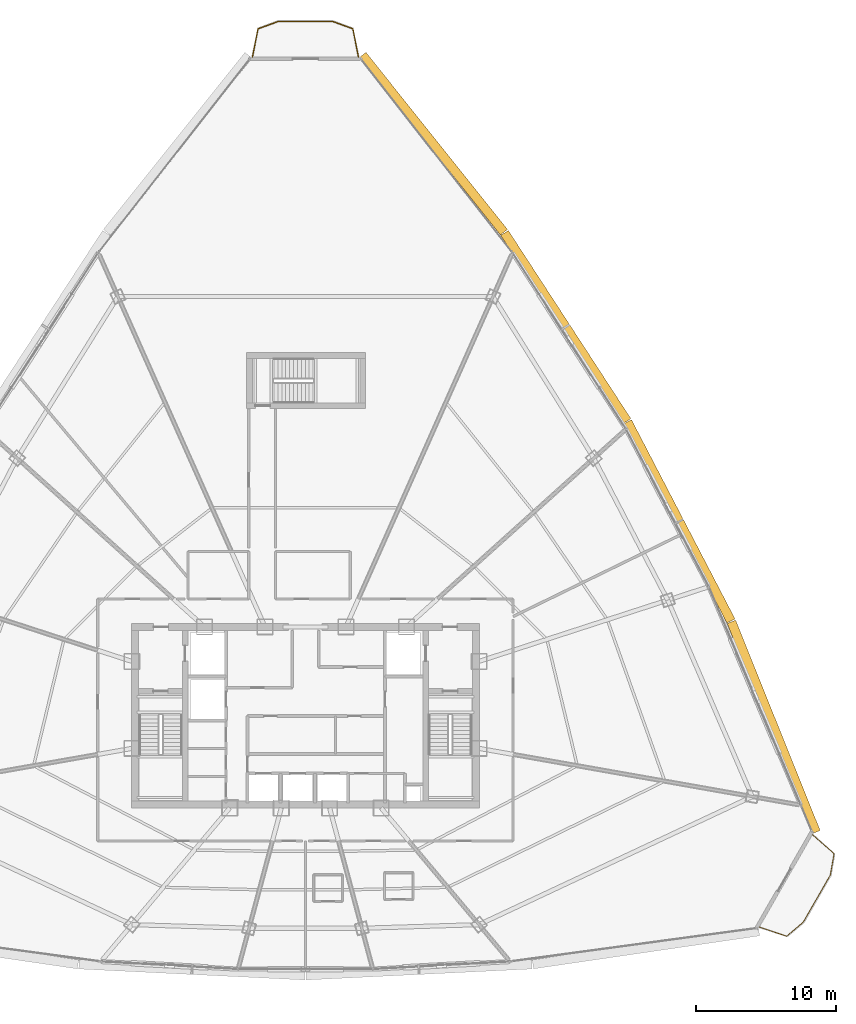
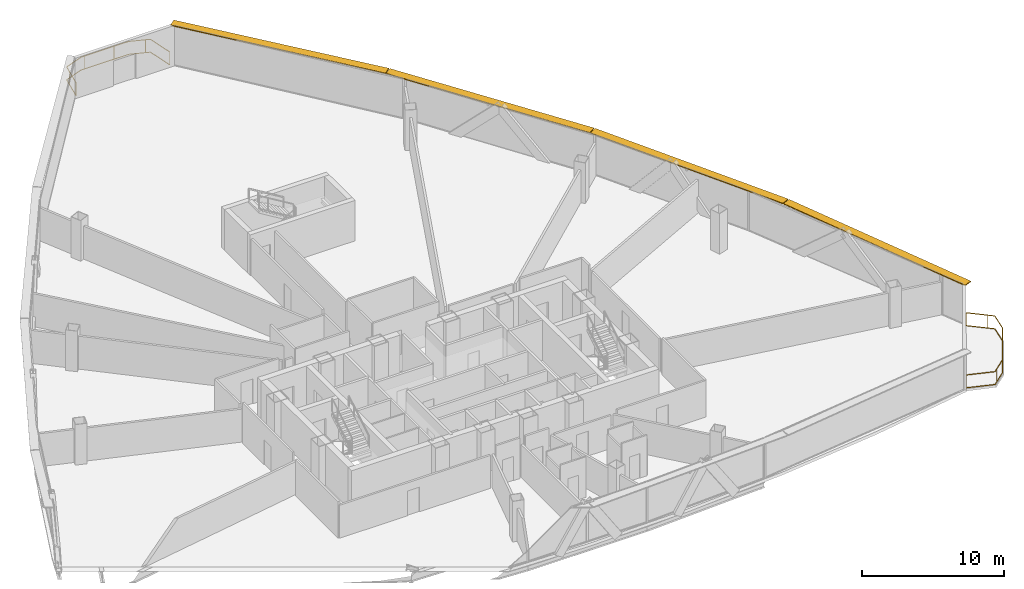
# One storey, part 34 of 34: 4 shading devices, 2 railings.
"""IFC4 building model written with IfcOpenShell, lengths in metres."""

from ifc_helpers import new_model, si_unit, direction, frame, origin, origin_2d, place, context, subcontext, project, spatial, rectangle, extrude, source, transform, mapped, material, layer, layer_set, type_object, element, save


model = new_model("IFC4")

# Units and contexts
model_context = context("Model", 3, precision=1e-05, world=origin(), true_north=direction((0.0, 1.0)))
body_context = subcontext(model_context, "Body", "Model", "MODEL_VIEW")
ifc_project = project(units=[si_unit("LENGTHUNIT", "METRE"), si_unit("AREAUNIT", "SQUARE_METRE"), si_unit("VOLUMEUNIT", "CUBIC_METRE"), si_unit("PLANEANGLEUNIT", "RADIAN"), si_unit("MASSUNIT", "GRAM", prefix="KILO"), si_unit("THERMODYNAMICTEMPERATUREUNIT", "KELVIN"), si_unit("POWERUNIT", "WATT")], contexts=[model_context])

# Site, building, storey
site_placement = place(None, origin())
site = spatial("IfcSite", under=ifc_project, at=site_placement, CompositionType="ELEMENT")
building_placement = place(site_placement, origin())
building = spatial("IfcBuilding", under=site, at=building_placement, Name="Yunzhuo Pagoda Commons", CompositionType="ELEMENT")
storey_placement = place(building_placement, frame((0.0, 0.0, 229.610107421875)))
storey = spatial("IfcBuildingStorey", under=building, at=storey_placement, Name="L57", CompositionType="ELEMENT", Elevation=229.610107421875)

# Railings
ifc_material = material(Name="Anodized aluminium 6063-T6", Category="aluminium")
railing_type = type_object("IfcRailingType", Name="RL-BAL1 Exterior Terrace & Balcony Balustrade 1150", PredefinedType="BALUSTRADE", material=ifc_material)
railing_1_placement = place(storey_placement, frame((80.447265625, 18.742431640625, 0.0)))
element("IfcRailing", 1, at=railing_1_placement, inside=storey, type_object=railing_type, Name="L57 corner balcony balustrade V2", PredefinedType="BALUSTRADE", context=body_context, shape_type="SweptSolid", body=[
    extrude(rectangle(XDim=0.048095703125, YDim=0.048095703125, at=origin_2d()), frame((0.0, 0.0, 1.1259765625), z_axis=(0.947419062147, -0.319995501031, 0.0), x_axis=(0.319995501031, 0.947419062147, 0.0)), (0.0, 0.0, 1.0), 2.05908203125),
    extrude(rectangle(XDim=0.048095703125, YDim=0.048095703125, at=origin_2d()), frame((0.0, 0.0, 0.02392578125), z_axis=(0.947419062147, -0.319995501031, 0.0), x_axis=(0.319995501031, 0.947419062147, 0.0)), (0.0, 0.0, 1.0), 2.05908203125),
    extrude(rectangle(XDim=0.048095703125, YDim=0.048095703125, at=origin_2d()), frame((1.950927734375, -0.658935546875, 1.1259765625), z_axis=(0.763546898029, 0.645752378633, 0.0), x_axis=(-0.645752378633, 0.763546898029, 0.0)), (0.0, 0.0, 1.0), 1.556640625),
    extrude(rectangle(XDim=0.048095703125, YDim=0.048095703125, at=origin_2d()), frame((1.950927734375, -0.658935546875, 0.02392578125), z_axis=(0.763546898029, 0.645752378633, 0.0), x_axis=(-0.645752378633, 0.763546898029, 0.0)), (0.0, 0.0, 1.0), 1.556640625),
    extrude(rectangle(XDim=0.048095703125, YDim=0.048095703125, at=origin_2d()), frame((3.139404296875, 0.34619140625, 1.1259765625), z_axis=(0.497903387026, 0.867232504688, 0.0), x_axis=(-0.867232504688, 0.497903387026, 0.0)), (0.0, 0.0, 1.0), 3.886962890625),
    extrude(rectangle(XDim=0.048095703125, YDim=0.048095703125, at=origin_2d()), frame((3.139404296875, 0.34619140625, 0.02392578125), z_axis=(0.497903387026, 0.867232504688, 0.0), x_axis=(-0.867232504688, 0.497903387026, 0.0)), (0.0, 0.0, 1.0), 3.886962890625),
    extrude(rectangle(XDim=0.048095703125, YDim=0.048095703125, at=origin_2d()), frame((5.07470703125, 3.717041015625, 1.1259765625), z_axis=(0.172863553259, 0.984945781226, 0.0), x_axis=(-0.984945781226, 0.172863553259, 0.0)), (0.0, 0.0, 1.0), 1.556396484375),
    extrude(rectangle(XDim=0.048095703125, YDim=0.048095703125, at=origin_2d()), frame((5.07470703125, 3.717041015625, 0.02392578125), z_axis=(0.172863553259, 0.984945781226, 0.0), x_axis=(-0.984945781226, 0.172863553259, 0.0)), (0.0, 0.0, 1.0), 1.556396484375),
    extrude(rectangle(XDim=0.048095703125, YDim=0.048095703125, at=origin_2d()), frame((5.34375, 5.25, 1.1259765625), z_axis=(-0.753984993137, 0.656891642605, 0.0), x_axis=(-0.656891642605, -0.753984993137, 0.0)), (0.0, 0.0, 1.0), 2.059326171875),
    extrude(rectangle(XDim=0.048095703125, YDim=0.048095703125, at=origin_2d()), frame((5.34375, 5.25, 0.02392578125), z_axis=(-0.753984993137, 0.656891642605, 0.0), x_axis=(-0.656891642605, -0.753984993137, 0.0)), (0.0, 0.0, 1.0), 2.059326171875),
    extrude(rectangle(XDim=0.0419921875, YDim=0.0419921875, at=origin_2d()), origin(), (0.0, 0.0, 1.0), 1.101806640625),
    extrude(rectangle(XDim=0.0419921875, YDim=0.0419921875, at=origin_2d()), frame((2.211181640625, -0.43896484375, 0.0)), (0.0, 0.0, 1.0), 1.101806640625),
    extrude(rectangle(XDim=0.0419921875, YDim=0.0419921875, at=origin_2d()), frame((3.72900390625, 1.373291015625, 0.0)), (0.0, 0.0, 1.0), 1.101806640625),
    extrude(rectangle(XDim=0.0419921875, YDim=0.0419921875, at=origin_2d()), frame((4.924072265625, 3.45458984375, 0.0)), (0.0, 0.0, 1.0), 1.101806640625),
    extrude(rectangle(XDim=0.0419921875, YDim=0.0419921875, at=origin_2d()), frame((4.935791015625, 5.60546875, 0.0)), (0.0, 0.0, 1.0), 1.101806640625),
    extrude(rectangle(XDim=0.0419921875, YDim=0.0419921875, at=origin_2d()), frame((3.791015625, 6.602783203125, 0.0)), (0.0, 0.0, 1.0), 1.101806640625),
])
railing_2_placement = place(storey_placement, frame((51.790771484375, 80.931884765625, 0.0)))
element("IfcRailing", 2, at=railing_2_placement, inside=storey, type_object=railing_type, Name="L57 corner balcony balustrade V3", PredefinedType="BALUSTRADE", context=body_context, shape_type="SweptSolid", body=[
    extrude(rectangle(XDim=0.048095703125, YDim=0.048095703125, at=origin_2d()), frame((0.0, 0.0, 1.1259765625), z_axis=(-0.194200568098, 0.980961843983, 0.0), x_axis=(-0.980961843983, -0.194200568098, 0.0)), (0.0, 0.0, 1.0), 2.059326171875),
    extrude(rectangle(XDim=0.048095703125, YDim=0.048095703125, at=origin_2d()), frame((0.0, 0.0, 0.02392578125), z_axis=(-0.194200568098, 0.980961843983, 0.0), x_axis=(-0.980961843983, -0.194200568098, 0.0)), (0.0, 0.0, 1.0), 2.059326171875),
    extrude(rectangle(XDim=0.048095703125, YDim=0.048095703125, at=origin_2d()), frame((-0.39990234375, 2.02001953125, 1.1259765625), z_axis=(-0.939641477641, 0.342160625287, 0.0), x_axis=(-0.342160625287, -0.939641477641, 0.0)), (0.0, 0.0, 1.0), 1.549072265625),
    extrude(rectangle(XDim=0.048095703125, YDim=0.048095703125, at=origin_2d()), frame((-0.39990234375, 2.02001953125, 0.02392578125), z_axis=(-0.939641477641, 0.342160625287, 0.0), x_axis=(-0.342160625287, -0.939641477641, 0.0)), (0.0, 0.0, 1.0), 1.549072265625),
    extrude(rectangle(XDim=0.048095703125, YDim=0.048095703125, at=origin_2d()), frame((-1.85546875, 2.550048828125, 1.1259765625), z_axis=(-1.0, 0.0, 0.0), x_axis=(0.0, -1.0, 0.0)), (0.0, 0.0, 1.0), 3.87060546875),
    extrude(rectangle(XDim=0.048095703125, YDim=0.048095703125, at=origin_2d()), frame((-1.85546875, 2.550048828125, 0.02392578125), z_axis=(-1.0, 0.0, 0.0), x_axis=(0.0, -1.0, 0.0)), (0.0, 0.0, 1.0), 3.87060546875),
    extrude(rectangle(XDim=0.048095703125, YDim=0.048095703125, at=origin_2d()), frame((-5.72607421875, 2.550048828125, 1.1259765625), z_axis=(-0.939641477641, -0.342160625287, 0.0), x_axis=(0.342160625287, -0.939641477641, 0.0)), (0.0, 0.0, 1.0), 1.549072265625),
    extrude(rectangle(XDim=0.048095703125, YDim=0.048095703125, at=origin_2d()), frame((-5.72607421875, 2.550048828125, 0.02392578125), z_axis=(-0.939641477641, -0.342160625287, 0.0), x_axis=(0.342160625287, -0.939641477641, 0.0)), (0.0, 0.0, 1.0), 1.549072265625),
    extrude(rectangle(XDim=0.048095703125, YDim=0.048095703125, at=origin_2d()), frame((-7.181640625, 2.02001953125, 1.1259765625), z_axis=(-0.194200568098, -0.980961843983, 0.0), x_axis=(0.980961843983, -0.194200568098, 0.0)), (0.0, 0.0, 1.0), 2.059326171875),
    extrude(rectangle(XDim=0.048095703125, YDim=0.048095703125, at=origin_2d()), frame((-7.181640625, 2.02001953125, 0.02392578125), z_axis=(-0.194200568098, -0.980961843983, 0.0), x_axis=(0.980961843983, -0.194200568098, 0.0)), (0.0, 0.0, 1.0), 2.059326171875),
    extrude(rectangle(XDim=0.0419921875, YDim=0.0419921875, at=origin_2d()), origin(), (0.0, 0.0, 1.0), 1.101806640625),
    extrude(rectangle(XDim=0.0419921875, YDim=0.0419921875, at=origin_2d()), frame((-0.72021484375, 2.13671875, 0.0)), (0.0, 0.0, 1.0), 1.101806640625),
    extrude(rectangle(XDim=0.0419921875, YDim=0.0419921875, at=origin_2d()), frame((-3.047119140625, 2.550048828125, 0.0)), (0.0, 0.0, 1.0), 1.101806640625),
    extrude(rectangle(XDim=0.0419921875, YDim=0.0419921875, at=origin_2d()), frame((-5.447265625, 2.550048828125, 0.0)), (0.0, 0.0, 1.0), 1.101806640625),
    extrude(rectangle(XDim=0.0419921875, YDim=0.0419921875, at=origin_2d()), frame((-7.292724609375, 1.458984375, 0.0)), (0.0, 0.0, 1.0), 1.101806640625),
    extrude(rectangle(XDim=0.0419921875, YDim=0.0419921875, at=origin_2d()), frame((-7.58154296875, 0.0, 0.0)), (0.0, 0.0, 1.0), 1.101806640625),
])

# Shading devices
ifc_layer = layer(ifc_material, 0.080078125)
ifc_layer_set = layer_set([ifc_layer], Name="Anodized aluminium 6063-T6")
shading_device_type = type_object("IfcShadingDeviceType", Name="SH-SUN1 Pagoda Horizontal Sunshade Eave 650", PredefinedType="USERDEFINED", material=ifc_layer_set)
shared_shape_1 = source(origin(), body_context, "Body", "SweptSolid", [
    extrude(rectangle(XDim=16.2041015625, YDim=0.64990234375, at=origin_2d()), origin(), (0.0, 0.0, 1.0), 0.080078125),
])
for number, where, z_axis, x_axis, name in (
    (3, (81.471435546875, 33.0400390625, 3.389892578125), (0.0, 0.0, 1.0), (-0.372987782576, 0.927836253899, 0.0), "L57 horizontal pagoda sunshade eave F2.1"),
    (4, (57.130615234375, 74.73828125, 3.389892578125), (0.0, 0.0, 1.0), (-0.624520471688, 0.781008438138, 0.0), "L57 horizontal pagoda sunshade eave F2.4"),
):
    element("IfcShadingDevice", number, at=place(storey_placement, frame(where, z_axis=z_axis, x_axis=x_axis)), inside=storey, type_object=shading_device_type, Name=name, ObjectType="SUNSHADE", PredefinedType="USERDEFINED", context=body_context, shape_type="MappedRepresentation", body=[
        mapped(shared_shape_1, transform((0.0, 0.0, 0.0), scale=1.0)),
    ])
shared_shape_2 = source(origin(), body_context, "Body", "SweptSolid", [
    extrude(rectangle(XDim=16.05029296875, YDim=0.64990234375, at=origin_2d()), origin(), (0.0, 0.0, 1.0), 0.080078125),
])
for number, where, z_axis, x_axis, name in (
    (5, (74.7216796875, 47.735595703125, 3.389892578125), (0.0, 0.0, 1.0), (-0.461206683033, 0.88729273384, 0.0), "L57 horizontal pagoda sunshade eave F2.2"),
    (6, (66.608154296875, 61.63525390625, 3.389892578125), (0.0, 0.0, 1.0), (-0.545838756973, 0.837890238269, 0.0), "L57 horizontal pagoda sunshade eave F2.3"),
):
    element("IfcShadingDevice", number, at=place(storey_placement, frame(where, z_axis=z_axis, x_axis=x_axis)), inside=storey, type_object=shading_device_type, Name=name, ObjectType="SUNSHADE", PredefinedType="USERDEFINED", context=body_context, shape_type="MappedRepresentation", body=[
        mapped(shared_shape_2, transform((0.0, 0.0, 0.0), scale=1.0)),
    ])

save(model, "model.ifc")
